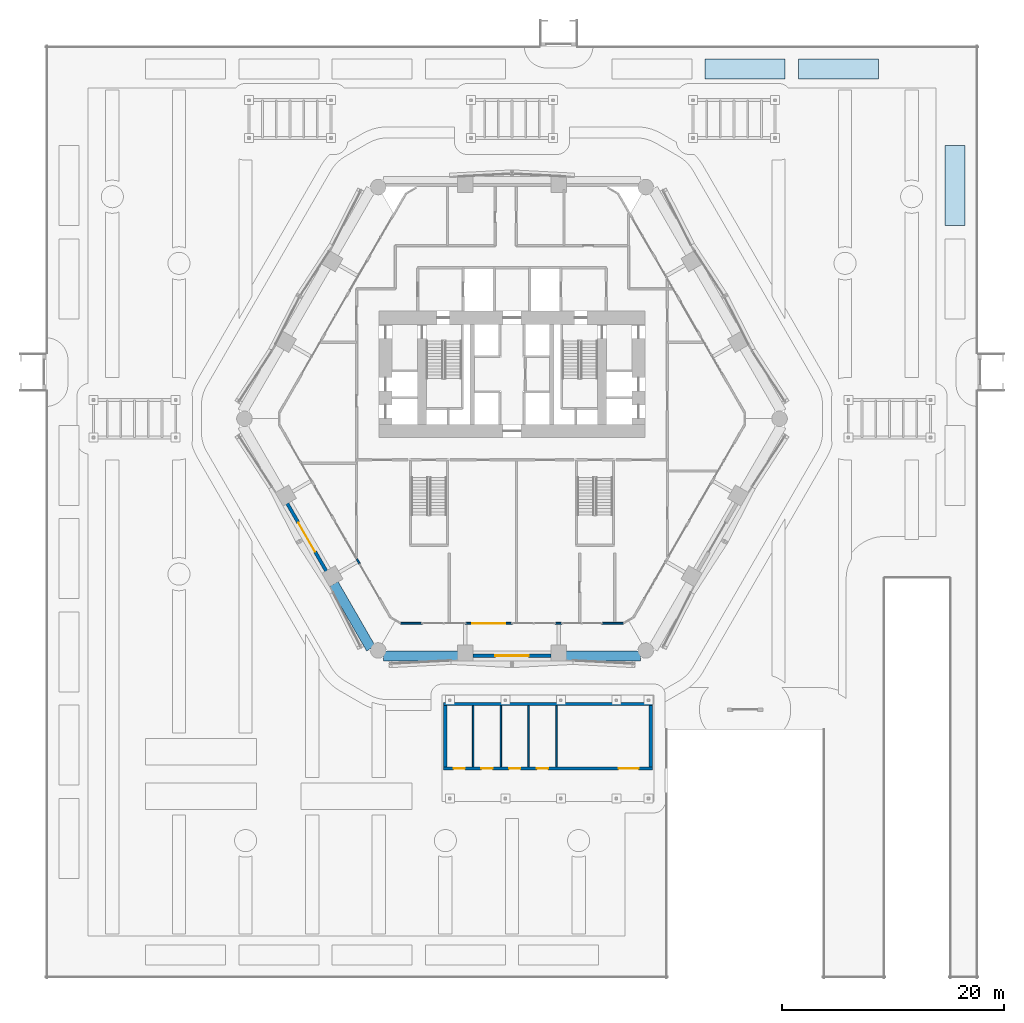
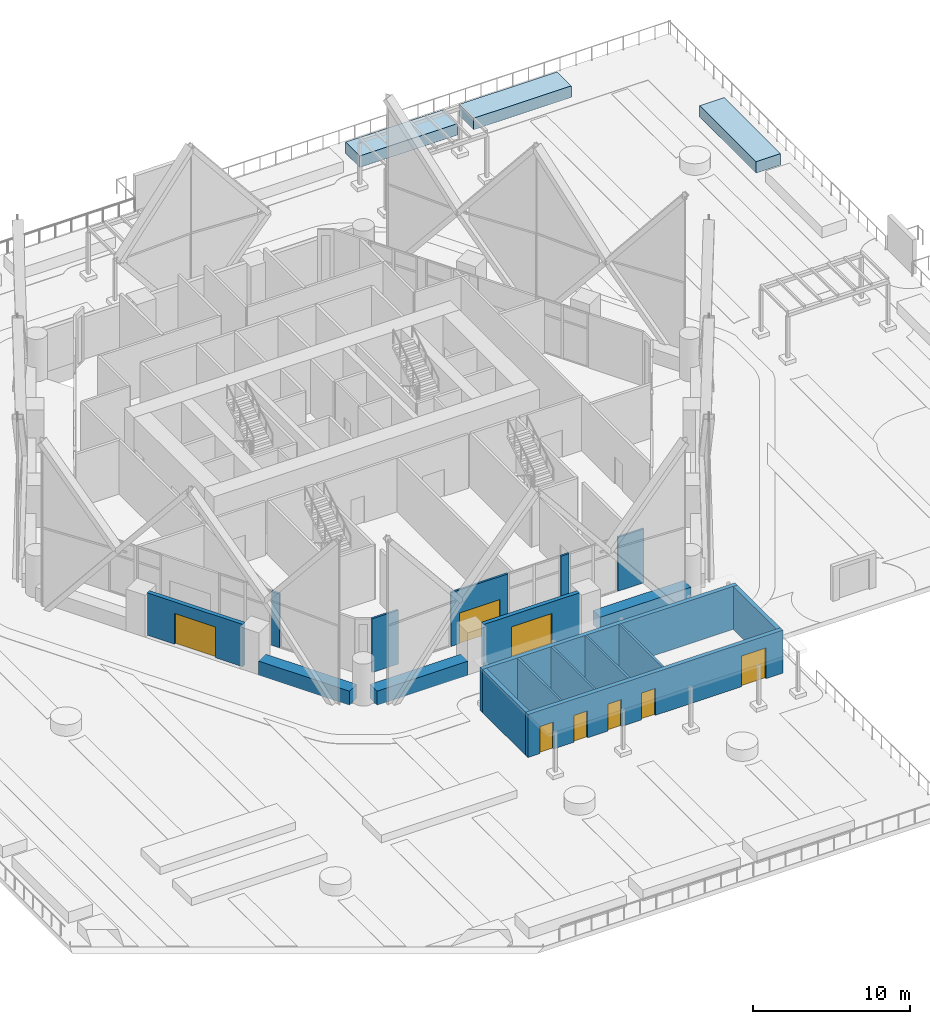
# One storey, part 52 of 71: 18 walls, 8 doors, 3 slabs, 8 openings.
"""IFC4 building model written with IfcOpenShell, lengths in metres."""

from ifc_helpers import new_model, si_unit, direction, frame, frame_2d, origin, place, context, subcontext, project, spatial, polyline, rectangle, outline, extrude, material, layer, layer_set, type_object, element, fill, save


model = new_model("IFC4")

# Units and contexts
model_context = context("Model", 3, precision=1e-05, world=origin(), true_north=direction((0.0, 1.0)))
body_context = subcontext(model_context, "Body", "Model", "MODEL_VIEW")
ifc_project = project(units=[si_unit("LENGTHUNIT", "METRE"), si_unit("AREAUNIT", "SQUARE_METRE"), si_unit("VOLUMEUNIT", "CUBIC_METRE"), si_unit("PLANEANGLEUNIT", "RADIAN"), si_unit("MASSUNIT", "GRAM", prefix="KILO")], contexts=[model_context])

# Site, building, storey
site_placement = place(None, origin())
site = spatial("IfcSite", under=ifc_project, at=site_placement, CompositionType="ELEMENT")
building_placement = place(site_placement, origin())
building = spatial("IfcBuilding", under=site, at=building_placement, Name="Ostrander Bayou Hotel Tower", CompositionType="ELEMENT")
storey_placement = place(building_placement, frame((0.0, 0.0, 10.0)))
storey = spatial("IfcBuildingStorey", under=building, at=storey_placement, Name="L02", CompositionType="ELEMENT", Elevation=10.0)

# Slabs
ifc_material_1 = material(Name="Concrete f'c 40 MPa", Category="concrete")
ifc_layer_1 = layer(ifc_material_1, 0.89990234375)
ifc_layer_set_1 = layer_set([ifc_layer_1], Name="PL1 planter bed 900 mm soil")
slab_type = type_object("IfcSlabType", Name="PL1 planter bed 900 mm soil", PredefinedType="FLOOR", material=ifc_layer_set_1)
slab_1_placement = place(storey_placement, origin())
element("IfcSlab", 1, at=slab_1_placement, inside=storey, type_object=slab_type, Name="PLANTER 11", PredefinedType="FLOOR", context=body_context, shape_type="SweptSolid", body=[
    extrude(outline(polyline([(24.60009765625, 30.60009765625), (24.60009765625, 32.39990234375), (17.39990234375, 32.39990234375), (17.39990234375, 30.60009765625), (24.60009765625, 30.60009765625)])), origin(), (0.0, 0.0, 1.0), 0.89990234375),
])
slab_2_placement = place(storey_placement, origin())
element("IfcSlab", 2, at=slab_2_placement, inside=storey, type_object=slab_type, Name="PLANTER 12", PredefinedType="FLOOR", context=body_context, shape_type="SweptSolid", body=[
    extrude(outline(polyline([(33.0, 30.60009765625), (33.0, 32.39990234375), (25.800048828125, 32.39990234375), (25.800048828125, 30.60009765625), (33.0, 30.60009765625)])), origin(), (0.0, 0.0, 1.0), 0.89990234375),
])
slab_3_placement = place(storey_placement, origin())
element("IfcSlab", 3, at=slab_3_placement, inside=storey, type_object=slab_type, Name="PLANTER 22", PredefinedType="FLOOR", context=body_context, shape_type="SweptSolid", body=[
    extrude(outline(polyline([(40.800048828125, 17.39990234375), (40.800048828125, 24.60009765625), (39.0, 24.60009765625), (39.0, 17.39990234375), (40.800048828125, 17.39990234375)])), origin(), (0.0, 0.0, 1.0), 0.89990234375),
])

# Wall
ifc_material_2 = material(Name="Aluminium framed insulated wall", Category="aluminium")
ifc_layer_2 = layer(ifc_material_2, 0.14990234375)
ifc_layer_set_2 = layer_set([ifc_layer_2], Name="GW1 glass-line wall 150 mm")
wall_type_1 = type_object("IfcWallType", Name="GW1 glass-line wall 150 mm", PredefinedType="SOLIDWALL", material=ifc_layer_set_2)
wall_1_placement = place(storey_placement, frame((-14.006591796875, -12.590087890625, 0.0), z_axis=(0.0, 0.0, 1.0), x_axis=(0.50012165622, -0.865955154139, 0.0)))
element("IfcWall", 4, at=wall_1_placement, inside=storey, type_object=wall_type_1, Name="GW1 L02 SW pier 4", PredefinedType="SOLIDWALL", context=body_context, shape_type="SweptSolid", body=[
    extrude(rectangle(XDim=0.599853515625, YDim=0.14990234375, at=frame_2d((0.2998046875, 0.0))), origin(), (0.0, 0.0, 1.0), 4.199951171875),
])

# Wall, opening, door
wall_2_placement = place(storey_placement, frame((-4.199951171875, -18.425048828125, 0.0), z_axis=(0.0, 0.0, 1.0), x_axis=(1.0, 0.0, 0.0)))
wall_2 = element("IfcWall", 5, at=wall_2_placement, inside=storey, type_object=wall_type_1, Name="GW1 L02 S 2", PredefinedType="SOLIDWALL", context=body_context, shape_type="SweptSolid", body=[
    extrude(rectangle(XDim=4.199951171875, YDim=0.14990234375, at=frame_2d((2.10009765625, 0.0))), origin(), (0.0, 0.0, 1.0), 4.199951171875),
])
opening_1_placement = place(wall_2_placement, frame((0.60009765625, 0.0, 0.0)))
opening_1 = element("IfcOpeningElement", 6, at=opening_1_placement, cuts=wall_2, Name="Opening T02-805", PredefinedType="OPENING", context=body_context, shape_type="SweptSolid", body=[
    extrude(rectangle(XDim=3.0, YDim=2.39990234375, at=frame_2d((1.5, 1.199951171875))), frame((0.0, 0.074951171875, 0.0), z_axis=(0.0, -1.0, 0.0), x_axis=(1.0, 0.0, 0.0)), (0.0, 0.0, 1.0), 0.14990234375),
])
ifc_material_3 = material(Name="Aluminium and clear glass", Category="aluminium")
door_type_1 = type_object("IfcDoorType", Name="SD5 sliding glass door 3000 mm", OperationType="SLIDING_TO_LEFT", PredefinedType="DOOR", material=ifc_material_3)
door_1_placement = place(opening_1_placement, origin())
door_1 = element("IfcDoor", 7, at=door_1_placement, inside=storey, type_object=door_type_1, Name="SD5 L02 S 2", OperationType="SLIDING_TO_RIGHT", OverallHeight=2.39990234375, OverallWidth=3.0, PredefinedType="DOOR", context=body_context, shape_type="SweptSolid", body=[
    extrude(rectangle(XDim=3.0, YDim=2.39990234375, at=frame_2d((1.5, 1.199951171875))), frame((0.0, 0.02490234375, 0.0), z_axis=(0.0, -1.0, 0.0), x_axis=(1.0, 0.0, 0.0)), (0.0, 0.0, 1.0), 0.050048828125),
])
fill(opening_1, door_1)

# Walls
for number, where, z_axis, x_axis, name in (
    (8, (-10.022705078125, -18.425048828125, 0.0), (0.0, 0.0, 1.0), (1.0, 0.0, 0.0), "GW1 L02 S end 1"),
    (9, (8.10009765625, -18.425048828125, 0.0), (0.0, 0.0, 1.0), (1.0, 0.0, 0.0), "GW1 L02 S end 2"),
):
    element("IfcWall", number, at=place(storey_placement, frame(where, z_axis=z_axis, x_axis=x_axis)), inside=storey, type_object=wall_type_1, Name=name, PredefinedType="SOLIDWALL", context=body_context, shape_type="SweptSolid", body=[
        extrude(rectangle(XDim=1.922607421875, YDim=0.14990234375, at=frame_2d((0.96142578125, 0.0))), origin(), (0.0, 0.0, 1.0), 4.199951171875),
    ])
wall_3_placement = place(storey_placement, frame((3.89990234375, -18.425048828125, 0.0), z_axis=(0.0, 0.0, 1.0), x_axis=(1.0, 0.0, 0.0)))
element("IfcWall", 10, at=wall_3_placement, inside=storey, type_object=wall_type_1, Name="GW1 L02 S pier 4", PredefinedType="SOLIDWALL", context=body_context, shape_type="SweptSolid", body=[
    extrude(rectangle(XDim=0.60009765625, YDim=0.14990234375, at=frame_2d((0.300048828125, 0.0))), origin(), (0.0, 0.0, 1.0), 4.199951171875),
])

# Wall, opening, door
ifc_material_4 = material(Name="Reconstituted stone on masonry backing", Category="masonry")
ifc_layer_3 = layer(ifc_material_4, 0.300048828125)
ifc_layer_set_3 = layer_set([ifc_layer_3], Name="NW1 north stone wall 300 mm")
wall_type_2 = type_object("IfcWallType", Name="NW1 north stone wall 300 mm", PredefinedType="SOLIDWALL", material=ifc_layer_set_3)
wall_4_placement = place(storey_placement, frame((-20.252197265625, -7.621826171875, 0.0), z_axis=(0.0, 0.0, 1.0), x_axis=(0.499997206141, -0.866027016814, 0.0)))
wall_4 = element("IfcWall", 11, at=wall_4_placement, inside=storey, type_object=wall_type_2, Name="NW1 L02 SW-2 deck door wall", PredefinedType="SOLIDWALL", context=body_context, shape_type="SweptSolid", body=[
    extrude(rectangle(XDim=7.05078125, YDim=0.300048828125, at=frame_2d((3.525390625, 0.0))), origin(), (0.0, 0.0, 1.0), 3.300048828125),
])
opening_2_placement = place(wall_4_placement, frame((2.025390625, 0.0, 0.0)))
opening_2 = element("IfcOpeningElement", 12, at=opening_2_placement, cuts=wall_4, Name="Opening T02-800", PredefinedType="OPENING", context=body_context, shape_type="SweptSolid", body=[
    extrude(rectangle(XDim=3.0, YDim=2.39990234375, at=frame_2d((1.5, 1.199951171875))), frame((0.0, 0.14990234375, 0.0), z_axis=(0.0, -1.0, 0.0), x_axis=(1.0, 0.0, 0.0)), (0.0, 0.0, 1.0), 0.300048828125),
])
door_2_placement = place(opening_2_placement, origin())
door_2 = element("IfcDoor", 13, at=door_2_placement, inside=storey, type_object=door_type_1, Name="SD5 L02 SW deck", OperationType="SLIDING_TO_LEFT", OverallHeight=2.39990234375, OverallWidth=3.0, PredefinedType="DOOR", context=body_context, shape_type="SweptSolid", body=[
    extrude(rectangle(XDim=3.0, YDim=2.39990234375, at=frame_2d((1.5, 1.199951171875))), frame((0.0, 0.02490234375, 0.0), z_axis=(0.0, -1.0, 0.0), x_axis=(1.0, 0.0, 0.0)), (0.0, 0.0, 1.0), 0.050048828125),
])
fill(opening_2, door_2)

wall_5_placement = place(storey_placement, frame((-3.525390625, -21.35009765625, 0.0), z_axis=(0.0, 0.0, 1.0), x_axis=(1.0, 0.0, 0.0)))
wall_5 = element("IfcWall", 14, at=wall_5_placement, inside=storey, type_object=wall_type_2, Name="NW1 L02 S-2 deck door wall", PredefinedType="SOLIDWALL", context=body_context, shape_type="SweptSolid", body=[
    extrude(rectangle(XDim=7.05078125, YDim=0.300048828125, at=frame_2d((3.525390625, 0.0))), origin(), (0.0, 0.0, 1.0), 3.300048828125),
])
opening_3_placement = place(wall_5_placement, frame((2.025390625, 0.0, 0.0)))
opening_3 = element("IfcOpeningElement", 15, at=opening_3_placement, cuts=wall_5, Name="Opening T02-801", PredefinedType="OPENING", context=body_context, shape_type="SweptSolid", body=[
    extrude(rectangle(XDim=3.0, YDim=2.39990234375, at=frame_2d((1.5, 1.199951171875))), frame((0.0, 0.14990234375, 0.0), z_axis=(0.0, -1.0, 0.0), x_axis=(1.0, 0.0, 0.0)), (0.0, 0.0, 1.0), 0.300048828125),
])
door_3_placement = place(opening_3_placement, origin())
door_3 = element("IfcDoor", 16, at=door_3_placement, inside=storey, type_object=door_type_1, Name="SD5 L02 S deck", OperationType="SLIDING_TO_LEFT", OverallHeight=2.39990234375, OverallWidth=3.0, PredefinedType="DOOR", context=body_context, shape_type="SweptSolid", body=[
    extrude(rectangle(XDim=3.0, YDim=2.39990234375, at=frame_2d((1.5, 1.199951171875))), frame((0.0, 0.02490234375, 0.0), z_axis=(0.0, -1.0, 0.0), x_axis=(1.0, 0.0, 0.0)), (0.0, 0.0, 1.0), 0.050048828125),
])
fill(opening_3, door_3)

# Wall, openings, doors
wall_6_placement = place(storey_placement, frame((-6.14990234375, -31.5, 0.0), z_axis=(0.0, 0.0, 1.0), x_axis=(1.0, 0.0, 0.0)))
wall_6 = element("IfcWall", 17, at=wall_6_placement, inside=storey, type_object=wall_type_2, Name="NW1 pavilion south wall", PredefinedType="SOLIDWALL", context=body_context, shape_type="SweptSolid", body=[
    extrude(rectangle(XDim=18.7998046875, YDim=0.300048828125, at=frame_2d((9.39990234375, 0.0))), origin(), (0.0, 0.0, 1.0), 3.35009765625),
])
opening_4_placement = place(wall_6_placement, frame((0.89990234375, 0.0, 0.0)))
opening_4 = element("IfcOpeningElement", 18, at=opening_4_placement, cuts=wall_6, Name="Opening T02-808", PredefinedType="OPENING", context=body_context, shape_type="SweptSolid", body=[
    extrude(rectangle(XDim=1.0, YDim=2.10009765625, at=frame_2d((0.5, 1.050048828125))), frame((0.0, 0.14990234375, 0.0), z_axis=(0.0, -1.0, 0.0), x_axis=(1.0, 0.0, 0.0)), (0.0, 0.0, 1.0), 0.300048828125),
])
opening_5_placement = place(wall_6_placement, frame((3.39990234375, 0.0, 0.0)))
opening_5 = element("IfcOpeningElement", 19, at=opening_5_placement, cuts=wall_6, Name="Opening T02-809", PredefinedType="OPENING", context=body_context, shape_type="SweptSolid", body=[
    extrude(rectangle(XDim=1.0, YDim=2.10009765625, at=frame_2d((0.5, 1.050048828125))), frame((0.0, 0.14990234375, 0.0), z_axis=(0.0, -1.0, 0.0), x_axis=(1.0, 0.0, 0.0)), (0.0, 0.0, 1.0), 0.300048828125),
])
opening_6_placement = place(wall_6_placement, frame((5.89990234375, 0.0, 0.0)))
opening_6 = element("IfcOpeningElement", 20, at=opening_6_placement, cuts=wall_6, Name="Opening T02-810", PredefinedType="OPENING", context=body_context, shape_type="SweptSolid", body=[
    extrude(rectangle(XDim=1.0, YDim=2.10009765625, at=frame_2d((0.5, 1.050048828125))), frame((0.0, 0.14990234375, 0.0), z_axis=(0.0, -1.0, 0.0), x_axis=(1.0, 0.0, 0.0)), (0.0, 0.0, 1.0), 0.300048828125),
])
opening_7_placement = place(wall_6_placement, frame((8.39990234375, 0.0, 0.0)))
opening_7 = element("IfcOpeningElement", 21, at=opening_7_placement, cuts=wall_6, Name="Opening T02-811", PredefinedType="OPENING", context=body_context, shape_type="SweptSolid", body=[
    extrude(rectangle(XDim=1.0, YDim=2.10009765625, at=frame_2d((0.5, 1.050048828125))), frame((0.0, 0.14990234375, 0.0), z_axis=(0.0, -1.0, 0.0), x_axis=(1.0, 0.0, 0.0)), (0.0, 0.0, 1.0), 0.300048828125),
])
opening_8_placement = place(wall_6_placement, frame((15.75, 0.0, 0.0)))
opening_8 = element("IfcOpeningElement", 22, at=opening_8_placement, cuts=wall_6, Name="Opening T02-812", PredefinedType="OPENING", context=body_context, shape_type="SweptSolid", body=[
    extrude(rectangle(XDim=1.800048828125, YDim=2.39990234375, at=frame_2d((0.89990234375, 1.199951171875))), frame((0.0, 0.14990234375, 0.0), z_axis=(0.0, -1.0, 0.0), x_axis=(1.0, 0.0, 0.0)), (0.0, 0.0, 1.0), 0.300048828125),
])
ifc_material_5 = material(Name="Timber", Category="wood")
door_type_2 = type_object("IfcDoorType", Name="PV1 pavilion door 1000 mm", OperationType="SINGLE_SWING_RIGHT", PredefinedType="DOOR", material=ifc_material_5)
door_4_placement = place(opening_4_placement, origin())
door_4 = element("IfcDoor", 23, at=door_4_placement, inside=storey, type_object=door_type_2, Name="PV1 pavilion door 1", OperationType="SINGLE_SWING_LEFT", OverallHeight=2.10009765625, OverallWidth=1.0, PredefinedType="DOOR", context=body_context, shape_type="SweptSolid", body=[
    extrude(rectangle(XDim=1.0, YDim=2.10009765625, at=frame_2d((0.5, 1.050048828125))), frame((0.0, 0.02490234375, 0.0), z_axis=(0.0, -1.0, 0.0), x_axis=(1.0, 0.0, 0.0)), (0.0, 0.0, 1.0), 0.050048828125),
])
fill(opening_4, door_4)
door_5_placement = place(opening_5_placement, origin())
door_5 = element("IfcDoor", 24, at=door_5_placement, inside=storey, type_object=door_type_2, Name="PV1 pavilion door 2", OperationType="SINGLE_SWING_LEFT", OverallHeight=2.10009765625, OverallWidth=1.0, PredefinedType="DOOR", context=body_context, shape_type="SweptSolid", body=[
    extrude(rectangle(XDim=1.0, YDim=2.10009765625, at=frame_2d((0.5, 1.050048828125))), frame((0.0, 0.02490234375, 0.0), z_axis=(0.0, -1.0, 0.0), x_axis=(1.0, 0.0, 0.0)), (0.0, 0.0, 1.0), 0.050048828125),
])
fill(opening_5, door_5)
door_6_placement = place(opening_6_placement, origin())
door_6 = element("IfcDoor", 25, at=door_6_placement, inside=storey, type_object=door_type_2, Name="PV1 pavilion door 3", OperationType="SINGLE_SWING_LEFT", OverallHeight=2.10009765625, OverallWidth=1.0, PredefinedType="DOOR", context=body_context, shape_type="SweptSolid", body=[
    extrude(rectangle(XDim=1.0, YDim=2.10009765625, at=frame_2d((0.5, 1.050048828125))), frame((0.0, 0.02490234375, 0.0), z_axis=(0.0, -1.0, 0.0), x_axis=(1.0, 0.0, 0.0)), (0.0, 0.0, 1.0), 0.050048828125),
])
fill(opening_6, door_6)
door_7_placement = place(opening_7_placement, origin())
door_7 = element("IfcDoor", 26, at=door_7_placement, inside=storey, type_object=door_type_2, Name="PV1 pavilion door 4", OperationType="SINGLE_SWING_LEFT", OverallHeight=2.10009765625, OverallWidth=1.0, PredefinedType="DOOR", context=body_context, shape_type="SweptSolid", body=[
    extrude(rectangle(XDim=1.0, YDim=2.10009765625, at=frame_2d((0.5, 1.050048828125))), frame((0.0, 0.02490234375, 0.0), z_axis=(0.0, -1.0, 0.0), x_axis=(1.0, 0.0, 0.0)), (0.0, 0.0, 1.0), 0.050048828125),
])
fill(opening_7, door_7)
ifc_material_6 = material(Name="Aluminium and clear glass", Category="aluminium")
door_type_3 = type_object("IfcDoorType", Name="PV2 pavilion double door 1800 mm", OperationType="DOUBLE_DOOR_SINGLE_SWING", PredefinedType="DOOR", material=ifc_material_6)
door_8_placement = place(opening_8_placement, origin())
door_8 = element("IfcDoor", 27, at=door_8_placement, inside=storey, type_object=door_type_3, Name="PV2 pavilion door 5", OperationType="DOUBLE_DOOR_SINGLE_SWING", OverallHeight=2.39990234375, OverallWidth=1.800048828125, PredefinedType="DOOR", context=body_context, shape_type="SweptSolid", body=[
    extrude(rectangle(XDim=1.800048828125, YDim=2.39990234375, at=frame_2d((0.89990234375, 1.199951171875))), frame((0.0, 0.02490234375, 0.0), z_axis=(0.0, -1.0, 0.0), x_axis=(1.0, 0.0, 0.0)), (0.0, 0.0, 1.0), 0.050048828125),
])
fill(opening_8, door_8)

# Walls
wall_7_placement = place(storey_placement, frame((-6.14990234375, -25.699951171875, 0.0), z_axis=(0.0, 0.0, 1.0), x_axis=(1.0, 0.0, 0.0)))
element("IfcWall", 28, at=wall_7_placement, inside=storey, type_object=wall_type_2, Name="NW1 pavilion north wall", PredefinedType="SOLIDWALL", context=body_context, shape_type="SweptSolid", body=[
    extrude(rectangle(XDim=18.7998046875, YDim=0.300048828125, at=frame_2d((9.39990234375, 0.0))), origin(), (0.0, 0.0, 1.0), 3.35009765625),
])
for number, where, z_axis, x_axis, name in (
    (29, (-6.0, -31.35009765625, 0.0), (0.0, 0.0, 1.0), (0.0, 1.0, 0.0), "NW1 pavilion west wall"),
    (30, (12.5, -31.35009765625, 0.0), (0.0, 0.0, 1.0), (0.0, 1.0, 0.0), "NW1 pavilion east wall"),
):
    element("IfcWall", number, at=place(storey_placement, frame(where, z_axis=z_axis, x_axis=x_axis)), inside=storey, type_object=wall_type_2, Name=name, PredefinedType="SOLIDWALL", context=body_context, shape_type="SweptSolid", body=[
        extrude(rectangle(XDim=5.5, YDim=0.300048828125, at=frame_2d((2.75, 0.0))), origin(), (0.0, 0.0, 1.0), 3.35009765625),
    ])
ifc_material_7 = material(Name="Concrete f'c 40 MPa", Category="concrete")
ifc_layer_4 = layer(ifc_material_7, 0.89990234375)
ifc_layer_set_4 = layer_set([ifc_layer_4], Name="PA1 stone-faced parapet 900 mm")
wall_type_3 = type_object("IfcWallType", Name="PA1 stone-faced parapet 900 mm", PredefinedType="PARAPET", material=ifc_layer_set_4)
for number, where, z_axis, x_axis, name in (
    (31, (-11.569091796875, -21.35009765625, 0.0), (0.0, 0.0, 1.0), (1.0, 0.0, 0.0), "PA1 L02 S-1"),
    (32, (4.865478515625, -21.35009765625, 0.0), (0.0, 0.0, 1.0), (1.0, 0.0, 0.0), "PA1 L02 S-3"),
):
    element("IfcWall", number, at=place(storey_placement, frame(where, z_axis=z_axis, x_axis=x_axis)), inside=storey, type_object=wall_type_3, Name=name, PredefinedType="PARAPET", context=body_context, shape_type="SweptSolid", body=[
        extrude(rectangle(XDim=6.70361328125, YDim=0.89990234375, at=frame_2d((3.351806640625, 0.0))), origin(), (0.0, 0.0, 1.0), 1.10009765625),
    ])
ifc_material_8 = material(Name="Limestone masonry", Category="masonry")
ifc_layer_5 = layer(ifc_material_8, 0.89990234375)
ifc_layer_set_5 = layer_set([ifc_layer_5], Name="PA2 limestone parapet 900 mm")
wall_type_4 = type_object("IfcWallType", Name="PA2 limestone parapet 900 mm", PredefinedType="PARAPET", material=ifc_layer_set_5)
wall_8_placement = place(storey_placement, frame((-16.056884765625, -14.888671875, 0.0), z_axis=(0.0, 0.0, 1.0), x_axis=(0.500005133765, -0.866022439784, 0.0)))
element("IfcWall", 33, at=wall_8_placement, inside=storey, type_object=wall_type_4, Name="PA2 L02 SW-3", PredefinedType="PARAPET", context=body_context, shape_type="SweptSolid", body=[
    extrude(rectangle(XDim=6.70361328125, YDim=0.89990234375, at=frame_2d((3.351806640625, 0.0))), origin(), (0.0, 0.0, 1.0), 1.10009765625),
])
ifc_material_9 = material(Name="Blockwork", Category="masonry")
ifc_layer_6 = layer(ifc_material_9, 0.14990234375)
ifc_layer_set_6 = layer_set([ifc_layer_6], Name="PP1 pavilion partition 150 mm")
wall_type_5 = type_object("IfcWallType", Name="PP1 pavilion partition 150 mm", PredefinedType="PARTITIONING", material=ifc_layer_set_6)
for number, where, z_axis, x_axis, name in (
    (34, (-3.5, -31.35009765625, 0.0), (0.0, 0.0, 1.0), (0.0, 1.0, 0.0), "PP1 pavilion partition 1"),
    (35, (-1.0, -31.35009765625, 0.0), (0.0, 0.0, 1.0), (0.0, 1.0, 0.0), "PP1 pavilion partition 2"),
    (36, (1.5, -31.35009765625, 0.0), (0.0, 0.0, 1.0), (0.0, 1.0, 0.0), "PP1 pavilion partition 3"),
    (37, (4.0, -31.35009765625, 0.0), (0.0, 0.0, 1.0), (0.0, 1.0, 0.0), "PP1 pavilion partition 4"),
):
    element("IfcWall", number, at=place(storey_placement, frame(where, z_axis=z_axis, x_axis=x_axis)), inside=storey, type_object=wall_type_5, Name=name, PredefinedType="SOLIDWALL", context=body_context, shape_type="SweptSolid", body=[
        extrude(rectangle(XDim=5.5, YDim=0.14990234375, at=frame_2d((2.75, 0.0))), origin(), (0.0, 0.0, 1.0), 3.35009765625),
    ])

save(model, "model.ifc")
